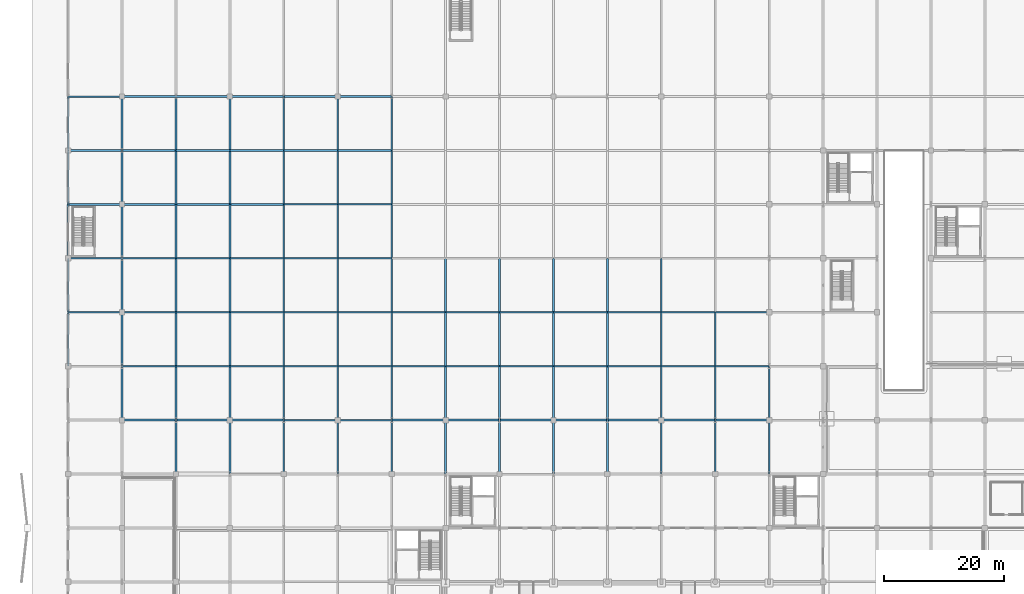
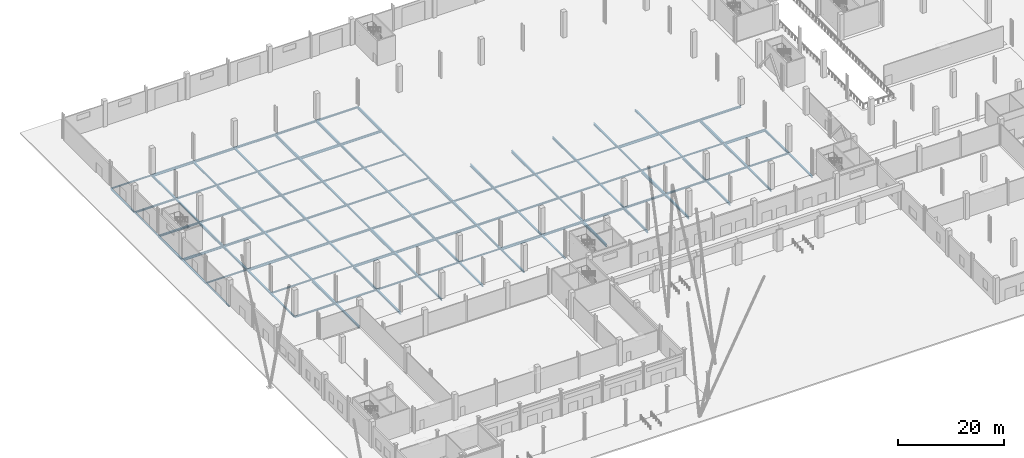
# One storey, part 20 of 58: 132 beams.
"""IFC4 building model written with IfcOpenShell, lengths in metres."""

from ifc_helpers import new_model, si_unit, direction, frame, origin, origin_2d, place, context, subcontext, project, spatial, i_section, extrude, material, material_profile, profile_set, type_object, element, save


model = new_model("IFC4")

# Units and contexts
model_context = context("Model", 3, precision=1e-05, world=origin(), true_north=direction((0.0, 1.0)))
body_context = subcontext(model_context, "Body", "Model", "MODEL_VIEW")
ifc_project = project(units=[si_unit("LENGTHUNIT", "METRE"), si_unit("AREAUNIT", "SQUARE_METRE"), si_unit("VOLUMEUNIT", "CUBIC_METRE"), si_unit("PLANEANGLEUNIT", "RADIAN"), si_unit("MASSUNIT", "GRAM", prefix="KILO")], contexts=[model_context])

# Site, building, storey
site_placement = place(None, origin())
site = spatial("IfcSite", under=ifc_project, at=site_placement, CompositionType="ELEMENT")
building_placement = place(site_placement, origin())
building = spatial("IfcBuilding", under=site, at=building_placement, Name="Barlavento Convention Centre", CompositionType="ELEMENT")
storey_placement = place(building_placement, origin())
storey = spatial("IfcBuildingStorey", under=building, at=storey_placement, Name="L00", CompositionType="ELEMENT", Elevation=0.0)

# Beams
ifc_material = material(Name="Steel S355", Category="steel")
ifc_material_profile_1 = material_profile(ifc_material, i_section(OverallWidth=0.300048828125, OverallDepth=0.330078125, WebThickness=0.009521484375, FlangeThickness=0.0166015625, FilletRadius=0.027099609375, at=origin_2d()), Name="HEA 340")
ifc_profile_set_1 = profile_set([ifc_material_profile_1], Name="Steel S355")
beam_type_1 = type_object("IfcBeamType", Name="STR-BM-PRI-HEA340", PredefinedType="BEAM", material=ifc_profile_set_1)
for number, where, z_axis, x_axis, name in (
    (1, (63.0, 54.02001953125, -0.544921875), (0.0, 1.0, 0.0), (-1.0, 0.0, 0.0), "L00 grid girder BG24"),
    (2, (9.0, 63.02001953125, -0.544921875), (0.0, 1.0, 0.0), (-1.0, 0.0, 0.0), "L00 grid girder BG24"),
    (3, (81.0, 63.02001953125, -0.544921875), (0.0, 1.0, 0.0), (-1.0, 0.0, 0.0), "L00 grid girder BG24"),
    (4, (27.0, 72.02001953125, -0.544921875), (0.0, 1.0, 0.0), (-1.0, 0.0, 0.0), "L00 grid girder BG24"),
    (5, (99.0, 72.02001953125, -0.544921875), (0.0, 1.0, 0.0), (-1.0, 0.0, 0.0), "L00 grid girder BG24"),
    (6, (45.0, 81.02001953125, -0.544921875), (0.0, 1.0, 0.0), (-1.0, 0.0, 0.0), "L00 grid girder BG24"),
    (7, (9.0, 99.02001953125, -0.544921875), (0.0, 1.0, 0.0), (-1.0, 0.0, 0.0), "L00 grid girder BG24"),
    (8, (27.0, 108.02001953125, -0.544921875), (0.0, 1.0, 0.0), (-1.0, 0.0, 0.0), "L00 grid girder BG24"),
):
    element("IfcBeam", number, at=place(storey_placement, frame(where, z_axis=z_axis, x_axis=x_axis)), inside=storey, type_object=beam_type_1, Name=name, PredefinedType="BEAM", context=body_context, shape_type="SweptSolid", body=[
        extrude(i_section(OverallWidth=0.300048828125, OverallDepth=0.330078125, WebThickness=0.009521484375, FlangeThickness=0.0166015625, FilletRadius=0.027099609375, at=origin_2d()), origin(), (0.0, 0.0, 1.0), 8.9599609375),
    ])
ifc_material_profile_2 = material_profile(ifc_material, i_section(OverallWidth=0.300048828125, OverallDepth=0.35009765625, WebThickness=0.010009765625, FlangeThickness=0.017578125, FilletRadius=0.027099609375, at=origin_2d()), Name="HEA 360")
ifc_profile_set_2 = profile_set([ifc_material_profile_2], Name="Steel S355")
beam_type_2 = type_object("IfcBeamType", Name="STR-BM-PRI-HEA360", PredefinedType="BEAM", material=ifc_profile_set_2)
for number, where, z_axis, x_axis, name in (
    (9, (54.0, 54.02001953125, -0.554931640625), (0.0, 1.0, 0.0), (-1.0, 0.0, 0.0), "L00 grid girder BG23"),
    (10, (72.0, 63.02001953125, -0.554931640625), (0.0, 1.0, 0.0), (-1.0, 0.0, 0.0), "L00 grid girder BG23"),
    (11, (18.0, 72.02001953125, -0.554931640625), (0.0, 1.0, 0.0), (-1.0, 0.0, 0.0), "L00 grid girder BG23"),
    (12, (90.0, 72.02001953125, -0.554931640625), (0.0, 1.0, 0.0), (-1.0, 0.0, 0.0), "L00 grid girder BG23"),
    (13, (36.0, 81.02001953125, -0.554931640625), (0.0, 1.0, 0.0), (-1.0, 0.0, 0.0), "L00 grid girder BG23"),
    (14, (54.0, 90.02001953125, -0.554931640625), (0.0, 1.0, 0.0), (-1.0, 0.0, 0.0), "L00 grid girder BG23"),
    (15, (18.0, 108.02001953125, -0.554931640625), (0.0, 1.0, 0.0), (-1.0, 0.0, 0.0), "L00 grid girder BG23"),
):
    element("IfcBeam", number, at=place(storey_placement, frame(where, z_axis=z_axis, x_axis=x_axis)), inside=storey, type_object=beam_type_2, Name=name, PredefinedType="BEAM", context=body_context, shape_type="SweptSolid", body=[
        extrude(i_section(OverallWidth=0.300048828125, OverallDepth=0.35009765625, WebThickness=0.010009765625, FlangeThickness=0.017578125, FilletRadius=0.027099609375, at=origin_2d()), origin(), (0.0, 0.0, 1.0), 8.9599609375),
    ])
ifc_material_profile_3 = material_profile(ifc_material, i_section(OverallWidth=0.300048828125, OverallDepth=0.389892578125, WebThickness=0.010986328125, FlangeThickness=0.01904296875, FilletRadius=0.027099609375, at=origin_2d()), Name="HEA 400")
ifc_profile_set_3 = profile_set([ifc_material_profile_3], Name="Steel S355")
beam_type_3 = type_object("IfcBeamType", Name="STR-BM-PRI-HEA400", PredefinedType="BEAM", material=ifc_profile_set_3)
for number, where, z_axis, x_axis, name in (
    (16, (45.0, 54.02001953125, -0.574951171875), (0.0, 1.0, 0.0), (-1.0, 0.0, 0.0), "L00 grid girder BG22"),
    (17, (117.0, 54.02001953125, -0.574951171875), (0.0, 1.0, 0.0), (-1.0, 0.0, 0.0), "L00 grid girder BG22"),
    (18, (63.0, 63.02001953125, -0.574951171875), (0.0, 1.0, 0.0), (-1.0, 0.0, 0.0), "L00 grid girder BG22"),
    (19, (9.0, 72.02001953125, -0.574951171875), (0.0, 1.0, 0.0), (-1.0, 0.0, 0.0), "L00 grid girder BG22"),
    (20, (81.0, 72.02001953125, -0.574951171875), (0.0, 1.0, 0.0), (-1.0, 0.0, 0.0), "L00 grid girder BG22"),
    (21, (27.0, 81.02001953125, -0.574951171875), (0.0, 1.0, 0.0), (-1.0, 0.0, 0.0), "L00 grid girder BG22"),
    (22, (99.0, 81.02001953125, -0.574951171875), (0.0, 1.0, 0.0), (-1.0, 0.0, 0.0), "L00 grid girder BG22"),
    (23, (45.0, 90.02001953125, -0.574951171875), (0.0, 1.0, 0.0), (-1.0, 0.0, 0.0), "L00 grid girder BG22"),
    (24, (9.0, 108.02001953125, -0.574951171875), (0.0, 1.0, 0.0), (-1.0, 0.0, 0.0), "L00 grid girder BG22"),
):
    element("IfcBeam", number, at=place(storey_placement, frame(where, z_axis=z_axis, x_axis=x_axis)), inside=storey, type_object=beam_type_3, Name=name, PredefinedType="BEAM", context=body_context, shape_type="SweptSolid", body=[
        extrude(i_section(OverallWidth=0.300048828125, OverallDepth=0.389892578125, WebThickness=0.010986328125, FlangeThickness=0.01904296875, FilletRadius=0.027099609375, at=origin_2d()), origin(), (0.0, 0.0, 1.0), 8.9599609375),
    ])
ifc_material_profile_4 = material_profile(ifc_material, i_section(OverallWidth=0.300048828125, OverallDepth=0.43994140625, WebThickness=0.011474609375, FlangeThickness=0.02099609375, FilletRadius=0.027099609375, at=origin_2d()), Name="HEA 450")
ifc_profile_set_4 = profile_set([ifc_material_profile_4], Name="Steel S355")
beam_type_4 = type_object("IfcBeamType", Name="STR-BM-PRI-HEA450", PredefinedType="BEAM", material=ifc_profile_set_4)
for number, where, z_axis, x_axis, name in (
    (25, (36.0, 54.02001953125, -0.60009765625), (0.0, 1.0, 0.0), (-1.0, 0.0, 0.0), "L00 grid girder BG21"),
    (26, (108.0, 54.02001953125, -0.60009765625), (0.0, 1.0, 0.0), (-1.0, 0.0, 0.0), "L00 grid girder BG21"),
    (27, (54.0, 63.02001953125, -0.60009765625), (0.0, 1.0, 0.0), (-1.0, 0.0, 0.0), "L00 grid girder BG21"),
    (28, (72.0, 72.02001953125, -0.60009765625), (0.0, 1.0, 0.0), (-1.0, 0.0, 0.0), "L00 grid girder BG21"),
    (29, (18.0, 81.02001953125, -0.60009765625), (0.0, 1.0, 0.0), (-1.0, 0.0, 0.0), "L00 grid girder BG21"),
    (30, (90.0, 81.02001953125, -0.60009765625), (0.0, 1.0, 0.0), (-1.0, 0.0, 0.0), "L00 grid girder BG21"),
    (31, (36.0, 90.02001953125, -0.60009765625), (0.0, 1.0, 0.0), (-1.0, 0.0, 0.0), "L00 grid girder BG21"),
    (32, (54.0, 99.02001953125, -0.60009765625), (0.0, 1.0, 0.0), (-1.0, 0.0, 0.0), "L00 grid girder BG21"),
):
    element("IfcBeam", number, at=place(storey_placement, frame(where, z_axis=z_axis, x_axis=x_axis)), inside=storey, type_object=beam_type_4, Name=name, PredefinedType="BEAM", context=body_context, shape_type="SweptSolid", body=[
        extrude(i_section(OverallWidth=0.300048828125, OverallDepth=0.43994140625, WebThickness=0.011474609375, FlangeThickness=0.02099609375, FilletRadius=0.027099609375, at=origin_2d()), origin(), (0.0, 0.0, 1.0), 8.9599609375),
    ])
ifc_material_profile_5 = material_profile(ifc_material, i_section(OverallWidth=0.300048828125, OverallDepth=0.489990234375, WebThickness=0.011962890625, FlangeThickness=0.02294921875, FilletRadius=0.027099609375, at=origin_2d()), Name="HEA 500")
ifc_profile_set_5 = profile_set([ifc_material_profile_5], Name="Steel S355")
beam_type_5 = type_object("IfcBeamType", Name="STR-BM-PRI-HEA500", PredefinedType="BEAM", material=ifc_profile_set_5)
for number, where, z_axis, x_axis, name in (
    (33, (27.0, 54.02001953125, -0.625), (0.0, 1.0, 0.0), (-1.0, 0.0, 0.0), "L00 grid girder BG20"),
    (34, (99.0, 54.02001953125, -0.625), (0.0, 1.0, 0.0), (-1.0, 0.0, 0.0), "L00 grid girder BG20"),
    (35, (45.0, 63.02001953125, -0.625), (0.0, 1.0, 0.0), (-1.0, 0.0, 0.0), "L00 grid girder BG20"),
    (36, (117.0, 63.02001953125, -0.625), (0.0, 1.0, 0.0), (-1.0, 0.0, 0.0), "L00 grid girder BG20"),
    (37, (63.0, 72.02001953125, -0.625), (0.0, 1.0, 0.0), (-1.0, 0.0, 0.0), "L00 grid girder BG20"),
    (38, (9.0, 81.02001953125, -0.625), (0.0, 1.0, 0.0), (-1.0, 0.0, 0.0), "L00 grid girder BG20"),
    (39, (81.0, 81.02001953125, -0.625), (0.0, 1.0, 0.0), (-1.0, 0.0, 0.0), "L00 grid girder BG20"),
    (40, (27.0, 90.02001953125, -0.625), (0.0, 1.0, 0.0), (-1.0, 0.0, 0.0), "L00 grid girder BG20"),
    (41, (45.0, 99.02001953125, -0.625), (0.0, 1.0, 0.0), (-1.0, 0.0, 0.0), "L00 grid girder BG20"),
):
    element("IfcBeam", number, at=place(storey_placement, frame(where, z_axis=z_axis, x_axis=x_axis)), inside=storey, type_object=beam_type_5, Name=name, PredefinedType="BEAM", context=body_context, shape_type="SweptSolid", body=[
        extrude(i_section(OverallWidth=0.300048828125, OverallDepth=0.489990234375, WebThickness=0.011962890625, FlangeThickness=0.02294921875, FilletRadius=0.027099609375, at=origin_2d()), origin(), (0.0, 0.0, 1.0), 8.9599609375),
    ])
ifc_material_profile_6 = material_profile(ifc_material, i_section(OverallWidth=0.300048828125, OverallDepth=0.5400390625, WebThickness=0.012451171875, FlangeThickness=0.02392578125, FilletRadius=0.027099609375, at=origin_2d()), Name="HEA 550")
ifc_profile_set_6 = profile_set([ifc_material_profile_6], Name="Steel S355")
beam_type_6 = type_object("IfcBeamType", Name="STR-BM-PRI-HEA550", PredefinedType="BEAM", material=ifc_profile_set_6)
for number, where, z_axis, x_axis, name in (
    (42, (18.0, 54.02001953125, -0.64990234375), (0.0, 1.0, 0.0), (-1.0, 0.0, 0.0), "L00 grid girder BG19"),
    (43, (90.0, 54.02001953125, -0.64990234375), (0.0, 1.0, 0.0), (-1.0, 0.0, 0.0), "L00 grid girder BG19"),
    (44, (36.0, 63.02001953125, -0.64990234375), (0.0, 1.0, 0.0), (-1.0, 0.0, 0.0), "L00 grid girder BG19"),
    (45, (108.0, 63.02001953125, -0.64990234375), (0.0, 1.0, 0.0), (-1.0, 0.0, 0.0), "L00 grid girder BG19"),
    (46, (54.0, 72.02001953125, -0.64990234375), (0.0, 1.0, 0.0), (-1.0, 0.0, 0.0), "L00 grid girder BG19"),
    (47, (72.0, 81.02001953125, -0.64990234375), (0.0, 1.0, 0.0), (-1.0, 0.0, 0.0), "L00 grid girder BG19"),
    (48, (18.0, 90.02001953125, -0.64990234375), (0.0, 1.0, 0.0), (-1.0, 0.0, 0.0), "L00 grid girder BG19"),
    (49, (36.0, 99.02001953125, -0.64990234375), (0.0, 1.0, 0.0), (-1.0, 0.0, 0.0), "L00 grid girder BG19"),
    (50, (54.0, 108.02001953125, -0.64990234375), (0.0, 1.0, 0.0), (-1.0, 0.0, 0.0), "L00 grid girder BG19"),
):
    element("IfcBeam", number, at=place(storey_placement, frame(where, z_axis=z_axis, x_axis=x_axis)), inside=storey, type_object=beam_type_6, Name=name, PredefinedType="BEAM", context=body_context, shape_type="SweptSolid", body=[
        extrude(i_section(OverallWidth=0.300048828125, OverallDepth=0.5400390625, WebThickness=0.012451171875, FlangeThickness=0.02392578125, FilletRadius=0.027099609375, at=origin_2d()), origin(), (0.0, 0.0, 1.0), 8.9599609375),
    ])
ifc_material_profile_7 = material_profile(ifc_material, i_section(OverallWidth=0.300048828125, OverallDepth=0.590087890625, WebThickness=0.012939453125, FlangeThickness=0.02490234375, FilletRadius=0.027099609375, at=origin_2d()), Name="HEA 600")
ifc_profile_set_7 = profile_set([ifc_material_profile_7], Name="Steel S355")
beam_type_7 = type_object("IfcBeamType", Name="STR-BM-PRI-HEA600", PredefinedType="BEAM", material=ifc_profile_set_7)
for number, where, z_axis, x_axis, name in (
    (51, (81.0, 54.02001953125, -0.675048828125), (0.0, 1.0, 0.0), (-1.0, 0.0, 0.0), "L00 grid girder BG18"),
    (52, (27.0, 63.02001953125, -0.675048828125), (0.0, 1.0, 0.0), (-1.0, 0.0, 0.0), "L00 grid girder BG18"),
    (53, (99.0, 63.02001953125, -0.675048828125), (0.0, 1.0, 0.0), (-1.0, 0.0, 0.0), "L00 grid girder BG18"),
    (54, (45.0, 72.02001953125, -0.675048828125), (0.0, 1.0, 0.0), (-1.0, 0.0, 0.0), "L00 grid girder BG18"),
    (55, (63.0, 81.02001953125, -0.675048828125), (0.0, 1.0, 0.0), (-1.0, 0.0, 0.0), "L00 grid girder BG18"),
    (56, (9.0, 90.02001953125, -0.675048828125), (0.0, 1.0, 0.0), (-1.0, 0.0, 0.0), "L00 grid girder BG18"),
    (57, (27.0, 99.02001953125, -0.675048828125), (0.0, 1.0, 0.0), (-1.0, 0.0, 0.0), "L00 grid girder BG18"),
    (58, (45.0, 108.02001953125, -0.675048828125), (0.0, 1.0, 0.0), (-1.0, 0.0, 0.0), "L00 grid girder BG18"),
):
    element("IfcBeam", number, at=place(storey_placement, frame(where, z_axis=z_axis, x_axis=x_axis)), inside=storey, type_object=beam_type_7, Name=name, PredefinedType="BEAM", context=body_context, shape_type="SweptSolid", body=[
        extrude(i_section(OverallWidth=0.300048828125, OverallDepth=0.590087890625, WebThickness=0.012939453125, FlangeThickness=0.02490234375, FilletRadius=0.027099609375, at=origin_2d()), origin(), (0.0, 0.0, 1.0), 8.9599609375),
    ])
ifc_material_profile_8 = material_profile(ifc_material, i_section(OverallWidth=0.300048828125, OverallDepth=0.639892578125, WebThickness=0.013427734375, FlangeThickness=0.02587890625, FilletRadius=0.027099609375, at=origin_2d()), Name="HEA 650")
ifc_profile_set_8 = profile_set([ifc_material_profile_8], Name="Steel S355")
beam_type_8 = type_object("IfcBeamType", Name="STR-BM-PRI-HEA650", PredefinedType="BEAM", material=ifc_profile_set_8)
for number, where, z_axis, x_axis, name in (
    (59, (72.0, 54.02001953125, -0.699951171875), (0.0, 1.0, 0.0), (-1.0, 0.0, 0.0), "L00 grid girder BG17"),
    (60, (18.0, 63.02001953125, -0.699951171875), (0.0, 1.0, 0.0), (-1.0, 0.0, 0.0), "L00 grid girder BG17"),
    (61, (90.0, 63.02001953125, -0.699951171875), (0.0, 1.0, 0.0), (-1.0, 0.0, 0.0), "L00 grid girder BG17"),
    (62, (36.0, 72.02001953125, -0.699951171875), (0.0, 1.0, 0.0), (-1.0, 0.0, 0.0), "L00 grid girder BG17"),
    (63, (108.0, 72.02001953125, -0.699951171875), (0.0, 1.0, 0.0), (-1.0, 0.0, 0.0), "L00 grid girder BG17"),
    (64, (54.0, 81.02001953125, -0.699951171875), (0.0, 1.0, 0.0), (-1.0, 0.0, 0.0), "L00 grid girder BG17"),
    (65, (18.0, 99.02001953125, -0.699951171875), (0.0, 1.0, 0.0), (-1.0, 0.0, 0.0), "L00 grid girder BG17"),
    (66, (36.0, 108.02001953125, -0.699951171875), (0.0, 1.0, 0.0), (-1.0, 0.0, 0.0), "L00 grid girder BG17"),
):
    element("IfcBeam", number, at=place(storey_placement, frame(where, z_axis=z_axis, x_axis=x_axis)), inside=storey, type_object=beam_type_8, Name=name, PredefinedType="BEAM", context=body_context, shape_type="SweptSolid", body=[
        extrude(i_section(OverallWidth=0.300048828125, OverallDepth=0.639892578125, WebThickness=0.013427734375, FlangeThickness=0.02587890625, FilletRadius=0.027099609375, at=origin_2d()), origin(), (0.0, 0.0, 1.0), 8.9599609375),
    ])
ifc_material_profile_9 = material_profile(ifc_material, i_section(OverallWidth=0.260009765625, OverallDepth=0.260009765625, WebThickness=0.010009765625, FlangeThickness=0.017578125, FilletRadius=0.02392578125, at=origin_2d()), Name="HEB 260")
ifc_profile_set_9 = profile_set([ifc_material_profile_9], Name="Steel S355")
beam_type_9 = type_object("IfcBeamType", Name="STR-BM-PRI-HEB260", PredefinedType="BEAM", material=ifc_profile_set_9)
for number, where, z_axis, x_axis, name in (
    (67, (45.02001953125, 63.0, -0.510009765625), (1.0, 0.0, 0.0), (0.0, 1.0, 0.0), "L00 primary girder BG16"),
    (68, (18.02001953125, 72.0, -0.510009765625), (1.0, 0.0, 0.0), (0.0, 1.0, 0.0), "L00 primary girder BG16"),
    (69, (99.02001953125, 72.0, -0.510009765625), (1.0, 0.0, 0.0), (0.0, 1.0, 0.0), "L00 primary girder BG16"),
    (70, (0.02001953125, 81.0, -0.510009765625), (1.0, 0.0, 0.0), (0.0, 1.0, 0.0), "L00 primary girder BG16"),
    (71, (81.02001953125, 81.0, -0.510009765625), (1.0, 0.0, 0.0), (0.0, 1.0, 0.0), "L00 primary girder BG16"),
    (72, (45.02001953125, 99.0, -0.510009765625), (1.0, 0.0, 0.0), (0.0, 1.0, 0.0), "L00 primary girder BG16"),
    (73, (27.02001953125, 108.0, -0.510009765625), (1.0, 0.0, 0.0), (0.0, 1.0, 0.0), "L00 primary girder BG16"),
    (74, (0.02001953125, 117.0, -0.510009765625), (1.0, 0.0, 0.0), (0.0, 1.0, 0.0), "L00 primary girder BG16"),
):
    element("IfcBeam", number, at=place(storey_placement, frame(where, z_axis=z_axis, x_axis=x_axis)), inside=storey, type_object=beam_type_9, Name=name, PredefinedType="BEAM", context=body_context, shape_type="SweptSolid", body=[
        extrude(i_section(OverallWidth=0.260009765625, OverallDepth=0.260009765625, WebThickness=0.010009765625, FlangeThickness=0.017578125, FilletRadius=0.02392578125, at=origin_2d()), origin(), (0.0, 0.0, 1.0), 8.9599609375),
    ])
ifc_material_profile_10 = material_profile(ifc_material, i_section(OverallWidth=0.280029296875, OverallDepth=0.280029296875, WebThickness=0.010498046875, FlangeThickness=0.01806640625, FilletRadius=0.02392578125, at=origin_2d()), Name="HEB 280")
ifc_profile_set_10 = profile_set([ifc_material_profile_10], Name="Steel S355")
beam_type_10 = type_object("IfcBeamType", Name="STR-BM-PRI-HEB280", PredefinedType="BEAM", material=ifc_profile_set_10)
for number, where, z_axis, x_axis, name in (
    (75, (36.02001953125, 63.0, -0.52001953125), (1.0, 0.0, 0.0), (0.0, 1.0, 0.0), "L00 primary girder BG15"),
    (76, (9.02001953125, 72.0, -0.52001953125), (1.0, 0.0, 0.0), (0.0, 1.0, 0.0), "L00 primary girder BG15"),
    (77, (90.02001953125, 72.0, -0.52001953125), (1.0, 0.0, 0.0), (0.0, 1.0, 0.0), "L00 primary girder BG15"),
    (78, (72.02001953125, 81.0, -0.52001953125), (1.0, 0.0, 0.0), (0.0, 1.0, 0.0), "L00 primary girder BG15"),
    (79, (36.02001953125, 99.0, -0.52001953125), (1.0, 0.0, 0.0), (0.0, 1.0, 0.0), "L00 primary girder BG15"),
    (80, (18.02001953125, 108.0, -0.52001953125), (1.0, 0.0, 0.0), (0.0, 1.0, 0.0), "L00 primary girder BG15"),
):
    element("IfcBeam", number, at=place(storey_placement, frame(where, z_axis=z_axis, x_axis=x_axis)), inside=storey, type_object=beam_type_10, Name=name, PredefinedType="BEAM", context=body_context, shape_type="SweptSolid", body=[
        extrude(i_section(OverallWidth=0.280029296875, OverallDepth=0.280029296875, WebThickness=0.010498046875, FlangeThickness=0.01806640625, FilletRadius=0.02392578125, at=origin_2d()), origin(), (0.0, 0.0, 1.0), 8.9599609375),
    ])
ifc_material_profile_11 = material_profile(ifc_material, i_section(OverallWidth=0.300048828125, OverallDepth=0.300048828125, WebThickness=0.010986328125, FlangeThickness=0.01904296875, FilletRadius=0.027099609375, at=origin_2d()), Name="HEB 300")
ifc_profile_set_11 = profile_set([ifc_material_profile_11], Name="Steel S355")
beam_type_11 = type_object("IfcBeamType", Name="STR-BM-PRI-HEB300", PredefinedType="BEAM", material=ifc_profile_set_11)
for number, where, z_axis, x_axis, name in (
    (81, (27.02001953125, 63.0, -0.530029296875), (1.0, 0.0, 0.0), (0.0, 1.0, 0.0), "L00 primary girder BG14"),
    (82, (108.02001953125, 63.0, -0.530029296875), (1.0, 0.0, 0.0), (0.0, 1.0, 0.0), "L00 primary girder BG14"),
    (83, (81.02001953125, 72.0, -0.530029296875), (1.0, 0.0, 0.0), (0.0, 1.0, 0.0), "L00 primary girder BG14"),
    (84, (63.02001953125, 81.0, -0.530029296875), (1.0, 0.0, 0.0), (0.0, 1.0, 0.0), "L00 primary girder BG14"),
    (85, (45.02001953125, 90.0, -0.530029296875), (1.0, 0.0, 0.0), (0.0, 1.0, 0.0), "L00 primary girder BG14"),
    (86, (27.02001953125, 99.0, -0.530029296875), (1.0, 0.0, 0.0), (0.0, 1.0, 0.0), "L00 primary girder BG14"),
    (87, (9.02001953125, 108.0, -0.530029296875), (1.0, 0.0, 0.0), (0.0, 1.0, 0.0), "L00 primary girder BG14"),
):
    element("IfcBeam", number, at=place(storey_placement, frame(where, z_axis=z_axis, x_axis=x_axis)), inside=storey, type_object=beam_type_11, Name=name, PredefinedType="BEAM", context=body_context, shape_type="SweptSolid", body=[
        extrude(i_section(OverallWidth=0.300048828125, OverallDepth=0.300048828125, WebThickness=0.010986328125, FlangeThickness=0.01904296875, FilletRadius=0.027099609375, at=origin_2d()), origin(), (0.0, 0.0, 1.0), 8.9599609375),
    ])
ifc_material_profile_12 = material_profile(ifc_material, i_section(OverallWidth=0.300048828125, OverallDepth=0.320068359375, WebThickness=0.011474609375, FlangeThickness=0.0205078125, FilletRadius=0.027099609375, at=origin_2d()), Name="HEB 320")
ifc_profile_set_12 = profile_set([ifc_material_profile_12], Name="Steel S355")
beam_type_12 = type_object("IfcBeamType", Name="STR-BM-PRI-HEB320", PredefinedType="BEAM", material=ifc_profile_set_12)
for number, where, z_axis, x_axis, name in (
    (88, (18.02001953125, 63.0, -0.5400390625), (1.0, 0.0, 0.0), (0.0, 1.0, 0.0), "L00 primary girder BG13"),
    (89, (99.02001953125, 63.0, -0.5400390625), (1.0, 0.0, 0.0), (0.0, 1.0, 0.0), "L00 primary girder BG13"),
    (90, (72.02001953125, 72.0, -0.5400390625), (1.0, 0.0, 0.0), (0.0, 1.0, 0.0), "L00 primary girder BG13"),
    (91, (54.02001953125, 81.0, -0.5400390625), (1.0, 0.0, 0.0), (0.0, 1.0, 0.0), "L00 primary girder BG13"),
    (92, (36.02001953125, 90.0, -0.5400390625), (1.0, 0.0, 0.0), (0.0, 1.0, 0.0), "L00 primary girder BG13"),
    (93, (18.02001953125, 99.0, -0.5400390625), (1.0, 0.0, 0.0), (0.0, 1.0, 0.0), "L00 primary girder BG13"),
    (94, (0.02001953125, 108.0, -0.5400390625), (1.0, 0.0, 0.0), (0.0, 1.0, 0.0), "L00 primary girder BG13"),
):
    element("IfcBeam", number, at=place(storey_placement, frame(where, z_axis=z_axis, x_axis=x_axis)), inside=storey, type_object=beam_type_12, Name=name, PredefinedType="BEAM", context=body_context, shape_type="SweptSolid", body=[
        extrude(i_section(OverallWidth=0.300048828125, OverallDepth=0.320068359375, WebThickness=0.011474609375, FlangeThickness=0.0205078125, FilletRadius=0.027099609375, at=origin_2d()), origin(), (0.0, 0.0, 1.0), 8.9599609375),
    ])
ifc_material_profile_13 = material_profile(ifc_material, i_section(OverallWidth=0.300048828125, OverallDepth=0.360107421875, WebThickness=0.012451171875, FlangeThickness=0.0224609375, FilletRadius=0.027099609375, at=origin_2d()), Name="HEB 360")
ifc_profile_set_13 = profile_set([ifc_material_profile_13], Name="Steel S355")
beam_type_13 = type_object("IfcBeamType", Name="STR-BM-PRI-HEB360", PredefinedType="BEAM", material=ifc_profile_set_13)
for number, where, z_axis, x_axis, name in (
    (95, (9.02001953125, 63.0, -0.56005859375), (1.0, 0.0, 0.0), (0.0, 1.0, 0.0), "L00 primary girder BG12"),
    (96, (90.02001953125, 63.0, -0.56005859375), (1.0, 0.0, 0.0), (0.0, 1.0, 0.0), "L00 primary girder BG12"),
    (97, (63.02001953125, 72.0, -0.56005859375), (1.0, 0.0, 0.0), (0.0, 1.0, 0.0), "L00 primary girder BG12"),
    (98, (45.02001953125, 81.0, -0.56005859375), (1.0, 0.0, 0.0), (0.0, 1.0, 0.0), "L00 primary girder BG12"),
    (99, (27.02001953125, 90.0, -0.56005859375), (1.0, 0.0, 0.0), (0.0, 1.0, 0.0), "L00 primary girder BG12"),
    (100, (9.02001953125, 99.0, -0.56005859375), (1.0, 0.0, 0.0), (0.0, 1.0, 0.0), "L00 primary girder BG12"),
    (101, (45.02001953125, 117.0, -0.56005859375), (1.0, 0.0, 0.0), (0.0, 1.0, 0.0), "L00 primary girder BG12"),
):
    element("IfcBeam", number, at=place(storey_placement, frame(where, z_axis=z_axis, x_axis=x_axis)), inside=storey, type_object=beam_type_13, Name=name, PredefinedType="BEAM", context=body_context, shape_type="SweptSolid", body=[
        extrude(i_section(OverallWidth=0.300048828125, OverallDepth=0.360107421875, WebThickness=0.012451171875, FlangeThickness=0.0224609375, FilletRadius=0.027099609375, at=origin_2d()), origin(), (0.0, 0.0, 1.0), 8.9599609375),
    ])
ifc_material_profile_14 = material_profile(ifc_material, i_section(OverallWidth=0.300048828125, OverallDepth=0.39990234375, WebThickness=0.013427734375, FlangeThickness=0.02392578125, FilletRadius=0.027099609375, at=origin_2d()), Name="HEB 400")
ifc_profile_set_14 = profile_set([ifc_material_profile_14], Name="Steel S355")
beam_type_14 = type_object("IfcBeamType", Name="STR-BM-PRI-HEB400", PredefinedType="BEAM", material=ifc_profile_set_14)
for number, where, z_axis, x_axis, name in (
    (102, (81.02001953125, 63.0, -0.580078125), (1.0, 0.0, 0.0), (0.0, 1.0, 0.0), "L00 primary girder BG11"),
    (103, (54.02001953125, 72.0, -0.580078125), (1.0, 0.0, 0.0), (0.0, 1.0, 0.0), "L00 primary girder BG11"),
    (104, (36.02001953125, 81.0, -0.580078125), (1.0, 0.0, 0.0), (0.0, 1.0, 0.0), "L00 primary girder BG11"),
    (105, (18.02001953125, 90.0, -0.580078125), (1.0, 0.0, 0.0), (0.0, 1.0, 0.0), "L00 primary girder BG11"),
    (106, (0.02001953125, 99.0, -0.580078125), (1.0, 0.0, 0.0), (0.0, 1.0, 0.0), "L00 primary girder BG11"),
    (107, (36.02001953125, 117.0, -0.580078125), (1.0, 0.0, 0.0), (0.0, 1.0, 0.0), "L00 primary girder BG11"),
):
    element("IfcBeam", number, at=place(storey_placement, frame(where, z_axis=z_axis, x_axis=x_axis)), inside=storey, type_object=beam_type_14, Name=name, PredefinedType="BEAM", context=body_context, shape_type="SweptSolid", body=[
        extrude(i_section(OverallWidth=0.300048828125, OverallDepth=0.39990234375, WebThickness=0.013427734375, FlangeThickness=0.02392578125, FilletRadius=0.027099609375, at=origin_2d()), origin(), (0.0, 0.0, 1.0), 8.9599609375),
    ])
ifc_material_profile_15 = material_profile(ifc_material, i_section(OverallWidth=0.300048828125, OverallDepth=0.449951171875, WebThickness=0.013916015625, FlangeThickness=0.02587890625, FilletRadius=0.027099609375, at=origin_2d()), Name="HEB 450")
ifc_profile_set_15 = profile_set([ifc_material_profile_15], Name="Steel S355")
beam_type_15 = type_object("IfcBeamType", Name="STR-BM-PRI-HEB450", PredefinedType="BEAM", material=ifc_profile_set_15)
for number, where, z_axis, x_axis, name in (
    (108, (72.02001953125, 63.0, -0.60498046875), (1.0, 0.0, 0.0), (0.0, 1.0, 0.0), "L00 primary girder BG10"),
    (109, (45.02001953125, 72.0, -0.60498046875), (1.0, 0.0, 0.0), (0.0, 1.0, 0.0), "L00 primary girder BG10"),
    (110, (27.02001953125, 81.0, -0.60498046875), (1.0, 0.0, 0.0), (0.0, 1.0, 0.0), "L00 primary girder BG10"),
    (111, (108.02001953125, 81.0, -0.60498046875), (1.0, 0.0, 0.0), (0.0, 1.0, 0.0), "L00 primary girder BG10"),
    (112, (9.02001953125, 90.0, -0.60498046875), (1.0, 0.0, 0.0), (0.0, 1.0, 0.0), "L00 primary girder BG10"),
    (113, (27.02001953125, 117.0, -0.60498046875), (1.0, 0.0, 0.0), (0.0, 1.0, 0.0), "L00 primary girder BG10"),
):
    element("IfcBeam", number, at=place(storey_placement, frame(where, z_axis=z_axis, x_axis=x_axis)), inside=storey, type_object=beam_type_15, Name=name, PredefinedType="BEAM", context=body_context, shape_type="SweptSolid", body=[
        extrude(i_section(OverallWidth=0.300048828125, OverallDepth=0.449951171875, WebThickness=0.013916015625, FlangeThickness=0.02587890625, FilletRadius=0.027099609375, at=origin_2d()), origin(), (0.0, 0.0, 1.0), 8.9599609375),
    ])
ifc_material_profile_16 = material_profile(ifc_material, i_section(OverallWidth=0.300048828125, OverallDepth=0.5, WebThickness=0.014404296875, FlangeThickness=0.028076171875, FilletRadius=0.027099609375, at=origin_2d()), Name="HEB 500")
ifc_profile_set_16 = profile_set([ifc_material_profile_16], Name="Steel S355")
beam_type_16 = type_object("IfcBeamType", Name="STR-BM-PRI-HEB500", PredefinedType="BEAM", material=ifc_profile_set_16)
for number, where, z_axis, x_axis, name in (
    (114, (63.02001953125, 63.0, -0.6298828125), (1.0, 0.0, 0.0), (0.0, 1.0, 0.0), "L00 primary girder BG09"),
    (115, (36.02001953125, 72.0, -0.6298828125), (1.0, 0.0, 0.0), (0.0, 1.0, 0.0), "L00 primary girder BG09"),
    (116, (18.02001953125, 81.0, -0.6298828125), (1.0, 0.0, 0.0), (0.0, 1.0, 0.0), "L00 primary girder BG09"),
    (117, (99.02001953125, 81.0, -0.6298828125), (1.0, 0.0, 0.0), (0.0, 1.0, 0.0), "L00 primary girder BG09"),
    (118, (0.02001953125, 90.0, -0.6298828125), (1.0, 0.0, 0.0), (0.0, 1.0, 0.0), "L00 primary girder BG09"),
    (119, (45.02001953125, 108.0, -0.6298828125), (1.0, 0.0, 0.0), (0.0, 1.0, 0.0), "L00 primary girder BG09"),
    (120, (18.02001953125, 117.0, -0.6298828125), (1.0, 0.0, 0.0), (0.0, 1.0, 0.0), "L00 primary girder BG09"),
):
    element("IfcBeam", number, at=place(storey_placement, frame(where, z_axis=z_axis, x_axis=x_axis)), inside=storey, type_object=beam_type_16, Name=name, PredefinedType="BEAM", context=body_context, shape_type="SweptSolid", body=[
        extrude(i_section(OverallWidth=0.300048828125, OverallDepth=0.5, WebThickness=0.014404296875, FlangeThickness=0.028076171875, FilletRadius=0.027099609375, at=origin_2d()), origin(), (0.0, 0.0, 1.0), 8.9599609375),
    ])
ifc_material_profile_17 = material_profile(ifc_material, i_section(OverallWidth=0.300048828125, OverallDepth=0.550048828125, WebThickness=0.014892578125, FlangeThickness=0.029052734375, FilletRadius=0.027099609375, at=origin_2d()), Name="HEB 550")
ifc_profile_set_17 = profile_set([ifc_material_profile_17], Name="Steel S355")
beam_type_17 = type_object("IfcBeamType", Name="STR-BM-PRI-HEB550", PredefinedType="BEAM", material=ifc_profile_set_17)
for number, where, z_axis, x_axis, name in (
    (121, (54.02001953125, 63.0, -0.655029296875), (1.0, 0.0, 0.0), (0.0, 1.0, 0.0), "L00 primary girder BG08"),
    (122, (27.02001953125, 72.0, -0.655029296875), (1.0, 0.0, 0.0), (0.0, 1.0, 0.0), "L00 primary girder BG08"),
    (123, (108.02001953125, 72.0, -0.655029296875), (1.0, 0.0, 0.0), (0.0, 1.0, 0.0), "L00 primary girder BG08"),
    (124, (9.02001953125, 81.0, -0.655029296875), (1.0, 0.0, 0.0), (0.0, 1.0, 0.0), "L00 primary girder BG08"),
    (125, (90.02001953125, 81.0, -0.655029296875), (1.0, 0.0, 0.0), (0.0, 1.0, 0.0), "L00 primary girder BG08"),
    (126, (36.02001953125, 108.0, -0.655029296875), (1.0, 0.0, 0.0), (0.0, 1.0, 0.0), "L00 primary girder BG08"),
    (127, (9.02001953125, 117.0, -0.655029296875), (1.0, 0.0, 0.0), (0.0, 1.0, 0.0), "L00 primary girder BG08"),
):
    element("IfcBeam", number, at=place(storey_placement, frame(where, z_axis=z_axis, x_axis=x_axis)), inside=storey, type_object=beam_type_17, Name=name, PredefinedType="BEAM", context=body_context, shape_type="SweptSolid", body=[
        extrude(i_section(OverallWidth=0.300048828125, OverallDepth=0.550048828125, WebThickness=0.014892578125, FlangeThickness=0.029052734375, FilletRadius=0.027099609375, at=origin_2d()), origin(), (0.0, 0.0, 1.0), 8.9599609375),
    ])
ifc_material_profile_18 = material_profile(ifc_material, i_section(OverallWidth=0.239990234375, OverallDepth=0.22998046875, WebThickness=0.007568359375, FlangeThickness=0.011962890625, FilletRadius=0.02099609375, at=origin_2d()), Name="HEA 240")
ifc_profile_set_18 = profile_set([ifc_material_profile_18], Name="Steel S355")
beam_type_18 = type_object("IfcBeamType", Name="STR-BM-SPN-HEA240", PredefinedType="SPANDREL", material=ifc_profile_set_18)
for number, where, z_axis, x_axis, name in (
    (128, (0.0, 72.02001953125, -0.4951171875), (0.0, 1.0, 0.0), (-1.0, 0.0, 0.0), "L00 grid girder SP05"),
    (129, (0.0, 99.02001953125, -0.4951171875), (0.0, 1.0, 0.0), (-1.0, 0.0, 0.0), "L00 grid girder SP05"),
):
    element("IfcBeam", number, at=place(storey_placement, frame(where, z_axis=z_axis, x_axis=x_axis)), inside=storey, type_object=beam_type_18, Name=name, PredefinedType="SPANDREL", context=body_context, shape_type="SweptSolid", body=[
        extrude(i_section(OverallWidth=0.239990234375, OverallDepth=0.22998046875, WebThickness=0.007568359375, FlangeThickness=0.011962890625, FilletRadius=0.02099609375, at=origin_2d()), origin(), (0.0, 0.0, 1.0), 8.9599609375),
    ])
ifc_material_profile_19 = material_profile(ifc_material, i_section(OverallWidth=0.280029296875, OverallDepth=0.27001953125, WebThickness=0.008056640625, FlangeThickness=0.012939453125, FilletRadius=0.02392578125, at=origin_2d()), Name="HEA 280")
ifc_profile_set_19 = profile_set([ifc_material_profile_19], Name="Steel S355")
beam_type_19 = type_object("IfcBeamType", Name="STR-BM-SPN-HEA280", PredefinedType="SPANDREL", material=ifc_profile_set_19)
for number, where, z_axis, x_axis, name in (
    (130, (0.0, 81.02001953125, -0.514892578125), (0.0, 1.0, 0.0), (-1.0, 0.0, 0.0), "L00 grid girder SP03"),
    (131, (0.0, 108.02001953125, -0.514892578125), (0.0, 1.0, 0.0), (-1.0, 0.0, 0.0), "L00 grid girder SP03"),
):
    element("IfcBeam", number, at=place(storey_placement, frame(where, z_axis=z_axis, x_axis=x_axis)), inside=storey, type_object=beam_type_19, Name=name, PredefinedType="SPANDREL", context=body_context, shape_type="SweptSolid", body=[
        extrude(i_section(OverallWidth=0.280029296875, OverallDepth=0.27001953125, WebThickness=0.008056640625, FlangeThickness=0.012939453125, FilletRadius=0.02392578125, at=origin_2d()), origin(), (0.0, 0.0, 1.0), 8.9599609375),
    ])
ifc_material_profile_20 = material_profile(ifc_material, i_section(OverallWidth=0.300048828125, OverallDepth=0.31005859375, WebThickness=0.009033203125, FlangeThickness=0.015380859375, FilletRadius=0.027099609375, at=origin_2d()), Name="HEA 320")
ifc_profile_set_20 = profile_set([ifc_material_profile_20], Name="Steel S355")
beam_type_20 = type_object("IfcBeamType", Name="STR-BM-SPN-HEA320", PredefinedType="SPANDREL", material=ifc_profile_set_20)
beam_placement = place(storey_placement, frame((0.0, 90.02001953125, -0.534912109375), z_axis=(0.0, 1.0, 0.0), x_axis=(-1.0, 0.0, 0.0)))
element("IfcBeam", 132, at=beam_placement, inside=storey, type_object=beam_type_20, Name="L00 grid girder SP01", PredefinedType="SPANDREL", context=body_context, shape_type="SweptSolid", body=[
    extrude(i_section(OverallWidth=0.300048828125, OverallDepth=0.31005859375, WebThickness=0.009033203125, FlangeThickness=0.015380859375, FilletRadius=0.027099609375, at=origin_2d()), origin(), (0.0, 0.0, 1.0), 8.9599609375),
])

save(model, "model.ifc")
